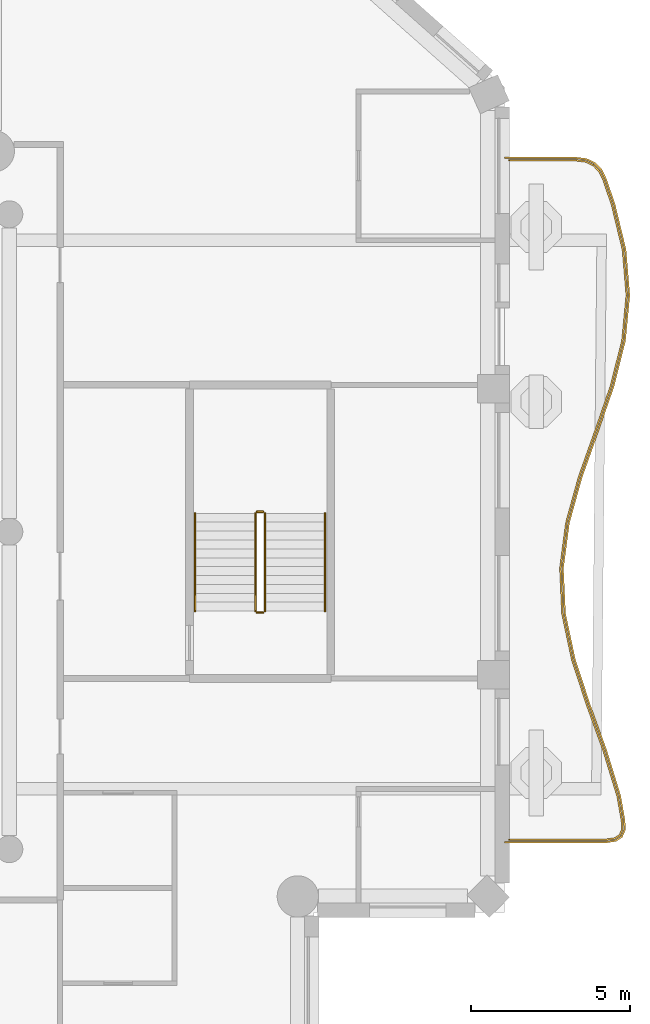
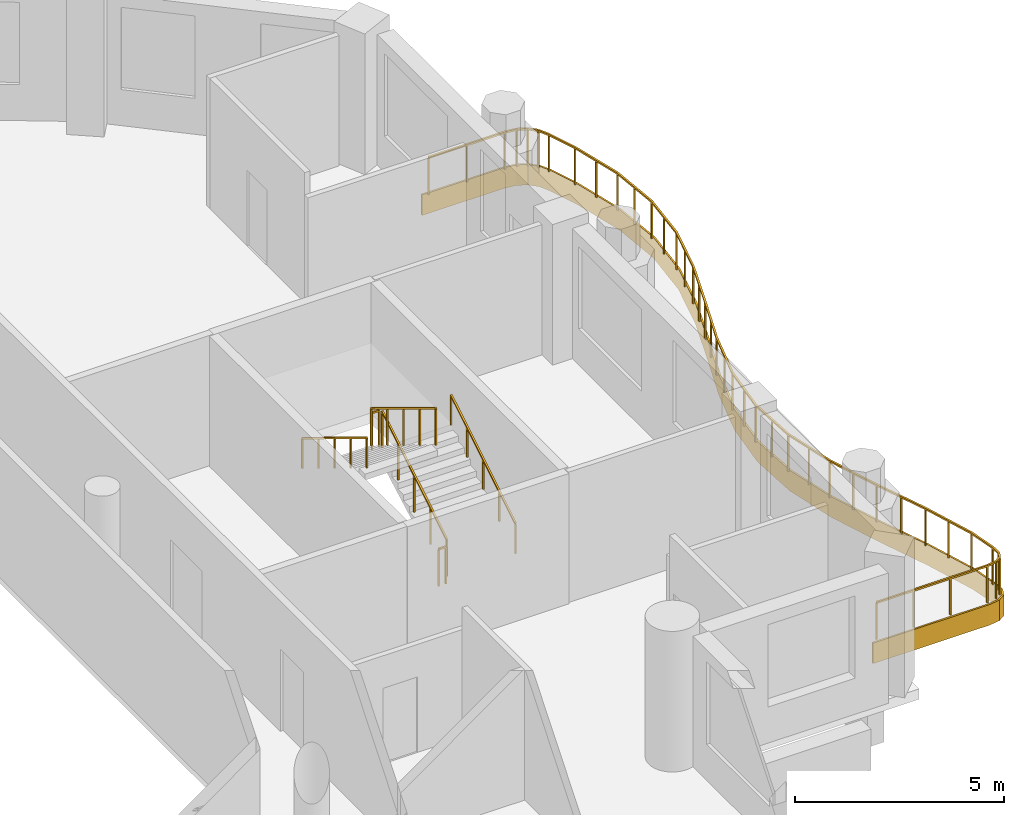
# One storey, part 12 of 14: 7 railings, 1 covering.
"""IFC4 building model written with IfcOpenShell, lengths in metres."""

from ifc_helpers import new_model, si_unit, direction, frame, origin, origin_2d, place, context, subcontext, project, spatial, polyline, rectangle, outline, extrude, material, layer, layer_set, type_object, element, save


model = new_model("IFC4")

# Units and contexts
model_context = context("Model", 3, precision=1e-05, world=origin(), true_north=direction((0.0, 1.0)))
body_context = subcontext(model_context, "Body", "Model", "MODEL_VIEW")
ifc_project = project(units=[si_unit("LENGTHUNIT", "METRE"), si_unit("AREAUNIT", "SQUARE_METRE"), si_unit("VOLUMEUNIT", "CUBIC_METRE"), si_unit("PLANEANGLEUNIT", "RADIAN"), si_unit("MASSUNIT", "GRAM", prefix="KILO")], contexts=[model_context])

# Site, building, storey
site_placement = place(None, origin())
site = spatial("IfcSite", under=ifc_project, at=site_placement, CompositionType="ELEMENT")
building_placement = place(site_placement, origin())
building = spatial("IfcBuilding", under=site, at=building_placement, Name="Cypress Arch Tower", CompositionType="ELEMENT")
storey_placement = place(building_placement, frame((0.0, 0.0, 296.699951171875)))
storey = spatial("IfcBuildingStorey", under=building, at=storey_placement, Name="L67", CompositionType="ELEMENT", Elevation=296.699951171875)

# Covering
ifc_material_1 = material(Name="White powder-coated aluminium fascia", Category="aluminium")
ifc_layer = layer(ifc_material_1, 0.050048828125)
ifc_layer_set = layer_set([ifc_layer], Name="Balcony fascia BF50")
covering_type = type_object("IfcCoveringType", Name="Balcony fascia BF50", PredefinedType="CLADDING", material=ifc_layer_set)
covering_placement = place(storey_placement, frame((0.0, 0.0, -0.599853515625)))
element("IfcCovering", 1, at=covering_placement, inside=storey, type_object=covering_type, Name="Balcony fascia L67-C17", PredefinedType="CLADDING", context=body_context, shape_type="SweptSolid", body=[
    extrude(outline(polyline([(26.863037109375, 11.800048828125), (27.18603515625, 11.75830078125), (27.455810546875, 11.630126953125), (27.664306640625, 11.41650390625), (27.80859375, 11.124267578125), (28.080078125, 10.33056640625), (28.429443359375, 8.891357421875), (28.550048828125, 7.44970703125), (28.411865234375, 6.008056640625), (28.049072265625, 4.569091796875), (27.55224609375, 3.133544921875), (27.04296875, 1.70166015625), (26.64599609375, 0.2734375), (26.4580078125, -1.152099609375), (26.52392578125, -2.576904296875), (26.828125, -4.003662109375), (27.296875, -5.43359375), (27.816162109375, -6.867431640625), (28.25830078125, -8.304931640625), (28.3994140625, -9.099853515625), (28.4091796875, -9.396728515625), (28.311767578125, -9.622314453125), (28.106689453125, -9.757568359375), (27.812744140625, -9.800048828125), (24.60107421875, -9.800048828125), (24.60107421875, -9.75), (27.80908203125, -9.75), (28.088623046875, -9.709716796875), (28.271728515625, -9.5888671875), (28.35888671875, -9.38720703125), (28.349609375, -9.10498046875), (28.20947265625, -8.316650390625), (27.7685546875, -6.88330078125), (27.249755859375, -5.449951171875), (26.77978515625, -4.0166015625), (26.47412109375, -2.583251953125), (26.40771484375, -1.14990234375), (26.596923828125, 0.283447265625), (26.9951171875, 1.716552734375), (27.5048828125, 3.14990234375), (28.001220703125, 4.583251953125), (28.3623046875, 6.0166015625), (28.499755859375, 7.449951171875), (28.3798828125, 8.88330078125), (28.031982421875, 10.316650390625), (27.76220703125, 11.10498046875), (27.623046875, 11.38720703125), (27.42626953125, 11.5888671875), (27.171875, 11.709716796875), (26.85986328125, 11.75), (24.60107421875, 11.75), (24.60107421875, 11.800048828125), (26.863037109375, 11.800048828125)])), origin(), (0.0, 0.0, 1.0), 0.599853515625),
])

# Railings
ifc_material_2 = material(Name="Powder-coated steel posts and rods, 100 mm clear between rods", Category="steel")
railing_type_1 = type_object("IfcRailingType", Name="Balcony guard GR1100", PredefinedType="GUARDRAIL", material=ifc_material_2)
railing_1_placement = place(storey_placement, frame((24.75, 11.699951171875, 0.0)))
element("IfcRailing", 2, at=railing_1_placement, inside=storey, type_object=railing_type_1, Name="Balcony guard L67-C17", PredefinedType="GUARDRAIL", context=body_context, shape_type="SweptSolid", body=[
    extrude(rectangle(XDim=0.050048828125, YDim=0.050048828125, at=origin_2d()), frame((0.0, 0.0, 1.0751953125), z_axis=(1.0, 0.0, 0.0), x_axis=(0.0, 1.0, 0.0)), (0.0, 0.0, 1.0), 2.1064453125),
    extrude(rectangle(XDim=0.050048828125, YDim=0.050048828125, at=origin_2d()), frame((2.1064453125, 0.0, 1.0751953125), z_axis=(0.991787743346, -0.127894769823, 0.0), x_axis=(0.127894769823, 0.991787743346, 0.0)), (0.0, 0.0, 1.0), 0.303466796875),
    extrude(rectangle(XDim=0.050048828125, YDim=0.050048828125, at=origin_2d()), frame((2.407470703125, -0.038818359375, 1.0751953125), z_axis=(0.903098853358, -0.429432720066, 0.0), x_axis=(0.429432720066, 0.903098853358, 0.0)), (0.0, 0.0, 1.0), 0.264892578125),
    extrude(rectangle(XDim=0.050048828125, YDim=0.050048828125, at=origin_2d()), frame((2.646728515625, -0.152587890625, 1.0751953125), z_axis=(0.698761466255, -0.715354746456, 0.0), x_axis=(0.715354746456, 0.698761466255, 0.0)), (0.0, 0.0, 1.0), 0.264892578125),
    extrude(rectangle(XDim=0.050048828125, YDim=0.050048828125, at=origin_2d()), frame((2.831787109375, -0.342041015625, 1.0751953125), z_axis=(0.442381109943, -0.896827159248, 0.0), x_axis=(0.896827159248, 0.442381109943, 0.0)), (0.0, 0.0, 1.0), 0.303466796875),
    extrude(rectangle(XDim=0.050048828125, YDim=0.050048828125, at=origin_2d()), frame((2.966064453125, -0.6142578125, 1.0751953125), z_axis=(0.323917017362, -0.946085496064, 0.0), x_axis=(0.946085496064, 0.323917017362, 0.0)), (0.0, 0.0, 1.0), 0.82763671875),
    extrude(rectangle(XDim=0.050048828125, YDim=0.050048828125, at=origin_2d()), frame((3.234130859375, -1.397216796875, 1.0751953125), z_axis=(0.235685652362, -0.971829343697, 0.0), x_axis=(0.971829343697, 0.235685652362, 0.0)), (0.0, 0.0, 1.0), 1.46875),
    extrude(rectangle(XDim=0.050048828125, YDim=0.050048828125, at=origin_2d()), frame((3.580322265625, -2.82470703125, 1.0751953125), z_axis=(0.083483464198, -0.99650916263, 0.0), x_axis=(0.99650916263, 0.083483464198, 0.0)), (0.0, 0.0, 1.0), 1.429931640625),
    extrude(rectangle(XDim=0.050048828125, YDim=0.050048828125, at=origin_2d()), frame((3.69970703125, -4.249755859375, 1.0751953125), z_axis=(-0.095501185044, -0.995429316253, 0.0), x_axis=(0.995429316253, -0.095501185044, 0.0)), (0.0, 0.0, 1.0), 1.431640625),
    extrude(rectangle(XDim=0.050048828125, YDim=0.050048828125, at=origin_2d()), frame((3.56298828125, -5.6748046875, 1.0751953125), z_axis=(-0.244291244818, -0.969701906621, 0.0), x_axis=(0.969701906621, -0.244291244818, 0.0)), (0.0, 0.0, 1.0), 1.47216796875),
    extrude(rectangle(XDim=0.050048828125, YDim=0.050048828125, at=origin_2d()), frame((3.203369140625, -7.102294921875, 1.0751953125), z_axis=(-0.327232364833, -0.944943902783, 0.0), x_axis=(0.944943902783, -0.327232364833, 0.0)), (0.0, 0.0, 1.0), 1.5146484375),
    extrude(rectangle(XDim=0.050048828125, YDim=0.050048828125, at=origin_2d()), frame((2.707763671875, -8.533447265625, 1.0751953125), z_axis=(-0.335066597489, -0.942194446623, 0.0), x_axis=(0.942194446623, -0.335066597489, 0.0)), (0.0, 0.0, 1.0), 1.52294921875),
    extrude(rectangle(XDim=0.050048828125, YDim=0.050048828125, at=origin_2d()), frame((2.197509765625, -9.96826171875, 1.0751953125), z_axis=(-0.267736652062, -0.963492130296, 0.0), x_axis=(0.963492130296, -0.267736652062, 0.0)), (0.0, 0.0, 1.0), 1.49267578125),
    extrude(rectangle(XDim=0.050048828125, YDim=0.050048828125, at=origin_2d()), frame((1.7978515625, -11.406494140625, 1.0751953125), z_axis=(-0.130810693925, -0.991407364485, 0.0), x_axis=(0.991407364485, -0.130810693925, 0.0)), (0.0, 0.0, 1.0), 1.453857421875),
    extrude(rectangle(XDim=0.050048828125, YDim=0.050048828125, at=origin_2d()), frame((1.607666015625, -12.847900390625, 1.0751953125), z_axis=(0.04617487478, -0.998933371621, 0.0), x_axis=(0.998933371621, 0.04617487478, 0.0)), (0.0, 0.0, 1.0), 1.443359375),
    extrude(rectangle(XDim=0.050048828125, YDim=0.050048828125, at=origin_2d()), frame((1.67431640625, -14.289794921875, 1.0751953125), z_axis=(0.208600407378, -0.978000956054, 0.0), x_axis=(0.978000956054, 0.208600407378, 0.0)), (0.0, 0.0, 1.0), 1.472412109375),
    extrude(rectangle(XDim=0.050048828125, YDim=0.050048828125, at=origin_2d()), frame((1.9814453125, -15.729736328125, 1.0751953125), z_axis=(0.311524373657, -0.950238162051, 0.0), x_axis=(0.950238162051, 0.311524373657, 0.0)), (0.0, 0.0, 1.0), 1.51171875),
    extrude(rectangle(XDim=0.050048828125, YDim=0.050048828125, at=origin_2d()), frame((2.452392578125, -17.166259765625, 1.0751953125), z_axis=(0.340443525681, -0.940264965753, 0.0), x_axis=(0.940264965753, 0.340443525681, 0.0)), (0.0, 0.0, 1.0), 1.52392578125),
    extrude(rectangle(XDim=0.050048828125, YDim=0.050048828125, at=origin_2d()), frame((2.97119140625, -18.59912109375, 1.0751953125), z_axis=(0.294051429313, -0.955789598666, 0.0), x_axis=(0.955789598666, 0.294051429313, 0.0)), (0.0, 0.0, 1.0), 1.495361328125),
    extrude(rectangle(XDim=0.050048828125, YDim=0.050048828125, at=origin_2d()), frame((3.410888671875, -20.0283203125, 1.0751953125), z_axis=(0.174960473354, -0.984575458136, 0.0), x_axis=(0.984575458136, 0.174960473354, 0.0)), (0.0, 0.0, 1.0), 0.7939453125),
    extrude(rectangle(XDim=0.050048828125, YDim=0.050048828125, at=origin_2d()), frame((3.5498046875, -20.81005859375, 1.0751953125), z_axis=(0.032829010383, -0.999460982769, 0.0), x_axis=(0.999460982769, 0.032829010383, 0.0)), (0.0, 0.0, 1.0), 0.267822265625),
    extrude(rectangle(XDim=0.050048828125, YDim=0.050048828125, at=origin_2d()), frame((3.55859375, -21.07763671875, 1.0751953125), z_axis=(-0.397572017318, -0.917570973302, 0.0), x_axis=(0.917570973302, -0.397572017318, 0.0)), (0.0, 0.0, 1.0), 0.193359375),
    extrude(rectangle(XDim=0.050048828125, YDim=0.050048828125, at=origin_2d()), frame((3.481689453125, -21.255126953125, 1.0751953125), z_axis=(-0.834179813968, -0.551492554772, 0.0), x_axis=(0.551492554772, -0.834179813968, 0.0)), (0.0, 0.0, 1.0), 0.193359375),
    extrude(rectangle(XDim=0.050048828125, YDim=0.050048828125, at=origin_2d()), frame((3.3203125, -21.36181640625, 1.0751953125), z_axis=(-0.98982137107, -0.142315330771, 0.0), x_axis=(0.142315330771, -0.98982137107, 0.0)), (0.0, 0.0, 1.0), 0.267578125),
    extrude(rectangle(XDim=0.050048828125, YDim=0.050048828125, at=origin_2d()), frame((3.055419921875, -21.39990234375, 1.0751953125), z_axis=(-1.0, 0.0, 0.0), x_axis=(0.0, -1.0, 0.0)), (0.0, 0.0, 1.0), 3.055419921875),
    extrude(rectangle(XDim=0.0400390625, YDim=0.0400390625, at=origin_2d()), origin(), (0.0, 0.0, 1.0), 1.050048828125),
    extrude(rectangle(XDim=0.0400390625, YDim=0.0400390625, at=origin_2d()), frame((1.05322265625, 0.0, 0.0)), (0.0, 0.0, 1.0), 1.050048828125),
    extrude(rectangle(XDim=0.0400390625, YDim=0.0400390625, at=origin_2d()), frame((2.1064453125, 0.0, 0.0)), (0.0, 0.0, 1.0), 1.050048828125),
    extrude(rectangle(XDim=0.0400390625, YDim=0.0400390625, at=origin_2d()), frame((2.407470703125, -0.038818359375, 0.0)), (0.0, 0.0, 1.0), 1.050048828125),
    extrude(rectangle(XDim=0.0400390625, YDim=0.0400390625, at=origin_2d()), frame((2.646728515625, -0.152587890625, 0.0)), (0.0, 0.0, 1.0), 1.050048828125),
    extrude(rectangle(XDim=0.0400390625, YDim=0.0400390625, at=origin_2d()), frame((2.831787109375, -0.342041015625, 0.0)), (0.0, 0.0, 1.0), 1.050048828125),
    extrude(rectangle(XDim=0.0400390625, YDim=0.0400390625, at=origin_2d()), frame((2.966064453125, -0.6142578125, 0.0)), (0.0, 0.0, 1.0), 1.050048828125),
    extrude(rectangle(XDim=0.0400390625, YDim=0.0400390625, at=origin_2d()), frame((3.234130859375, -1.397216796875, 0.0)), (0.0, 0.0, 1.0), 1.050048828125),
    extrude(rectangle(XDim=0.0400390625, YDim=0.0400390625, at=origin_2d()), frame((3.4072265625, -2.11083984375, 0.0)), (0.0, 0.0, 1.0), 1.050048828125),
    extrude(rectangle(XDim=0.0400390625, YDim=0.0400390625, at=origin_2d()), frame((3.580322265625, -2.82470703125, 0.0)), (0.0, 0.0, 1.0), 1.050048828125),
    extrude(rectangle(XDim=0.0400390625, YDim=0.0400390625, at=origin_2d()), frame((3.64013671875, -3.537109375, 0.0)), (0.0, 0.0, 1.0), 1.050048828125),
    extrude(rectangle(XDim=0.0400390625, YDim=0.0400390625, at=origin_2d()), frame((3.69970703125, -4.249755859375, 0.0)), (0.0, 0.0, 1.0), 1.050048828125),
    extrude(rectangle(XDim=0.0400390625, YDim=0.0400390625, at=origin_2d()), frame((3.63134765625, -4.96240234375, 0.0)), (0.0, 0.0, 1.0), 1.050048828125),
    extrude(rectangle(XDim=0.0400390625, YDim=0.0400390625, at=origin_2d()), frame((3.56298828125, -5.6748046875, 0.0)), (0.0, 0.0, 1.0), 1.050048828125),
    extrude(rectangle(XDim=0.0400390625, YDim=0.0400390625, at=origin_2d()), frame((3.38330078125, -6.388671875, 0.0)), (0.0, 0.0, 1.0), 1.050048828125),
    extrude(rectangle(XDim=0.0400390625, YDim=0.0400390625, at=origin_2d()), frame((3.203369140625, -7.102294921875, 0.0)), (0.0, 0.0, 1.0), 1.050048828125),
    extrude(rectangle(XDim=0.0400390625, YDim=0.0400390625, at=origin_2d()), frame((2.95556640625, -7.81787109375, 0.0)), (0.0, 0.0, 1.0), 1.050048828125),
    extrude(rectangle(XDim=0.0400390625, YDim=0.0400390625, at=origin_2d()), frame((2.707763671875, -8.533447265625, 0.0)), (0.0, 0.0, 1.0), 1.050048828125),
    extrude(rectangle(XDim=0.0400390625, YDim=0.0400390625, at=origin_2d()), frame((2.45263671875, -9.2509765625, 0.0)), (0.0, 0.0, 1.0), 1.050048828125),
    extrude(rectangle(XDim=0.0400390625, YDim=0.0400390625, at=origin_2d()), frame((2.197509765625, -9.96826171875, 0.0)), (0.0, 0.0, 1.0), 1.050048828125),
    extrude(rectangle(XDim=0.0400390625, YDim=0.0400390625, at=origin_2d()), frame((1.99755859375, -10.6875, 0.0)), (0.0, 0.0, 1.0), 1.050048828125),
    extrude(rectangle(XDim=0.0400390625, YDim=0.0400390625, at=origin_2d()), frame((1.7978515625, -11.406494140625, 0.0)), (0.0, 0.0, 1.0), 1.050048828125),
    extrude(rectangle(XDim=0.0400390625, YDim=0.0400390625, at=origin_2d()), frame((1.70263671875, -12.127197265625, 0.0)), (0.0, 0.0, 1.0), 1.050048828125),
    extrude(rectangle(XDim=0.0400390625, YDim=0.0400390625, at=origin_2d()), frame((1.607666015625, -12.847900390625, 0.0)), (0.0, 0.0, 1.0), 1.050048828125),
    extrude(rectangle(XDim=0.0400390625, YDim=0.0400390625, at=origin_2d()), frame((1.64111328125, -13.56884765625, 0.0)), (0.0, 0.0, 1.0), 1.050048828125),
    extrude(rectangle(XDim=0.0400390625, YDim=0.0400390625, at=origin_2d()), frame((1.67431640625, -14.289794921875, 0.0)), (0.0, 0.0, 1.0), 1.050048828125),
    extrude(rectangle(XDim=0.0400390625, YDim=0.0400390625, at=origin_2d()), frame((1.827880859375, -15.009765625, 0.0)), (0.0, 0.0, 1.0), 1.050048828125),
    extrude(rectangle(XDim=0.0400390625, YDim=0.0400390625, at=origin_2d()), frame((1.9814453125, -15.729736328125, 0.0)), (0.0, 0.0, 1.0), 1.050048828125),
    extrude(rectangle(XDim=0.0400390625, YDim=0.0400390625, at=origin_2d()), frame((2.216796875, -16.447998046875, 0.0)), (0.0, 0.0, 1.0), 1.050048828125),
    extrude(rectangle(XDim=0.0400390625, YDim=0.0400390625, at=origin_2d()), frame((2.452392578125, -17.166259765625, 0.0)), (0.0, 0.0, 1.0), 1.050048828125),
    extrude(rectangle(XDim=0.0400390625, YDim=0.0400390625, at=origin_2d()), frame((2.7119140625, -17.8828125, 0.0)), (0.0, 0.0, 1.0), 1.050048828125),
    extrude(rectangle(XDim=0.0400390625, YDim=0.0400390625, at=origin_2d()), frame((2.97119140625, -18.59912109375, 0.0)), (0.0, 0.0, 1.0), 1.050048828125),
    extrude(rectangle(XDim=0.0400390625, YDim=0.0400390625, at=origin_2d()), frame((3.19091796875, -19.313720703125, 0.0)), (0.0, 0.0, 1.0), 1.050048828125),
    extrude(rectangle(XDim=0.0400390625, YDim=0.0400390625, at=origin_2d()), frame((3.410888671875, -20.0283203125, 0.0)), (0.0, 0.0, 1.0), 1.050048828125),
    extrude(rectangle(XDim=0.0400390625, YDim=0.0400390625, at=origin_2d()), frame((3.5498046875, -20.81005859375, 0.0)), (0.0, 0.0, 1.0), 1.050048828125),
    extrude(rectangle(XDim=0.0400390625, YDim=0.0400390625, at=origin_2d()), frame((3.55859375, -21.07763671875, 0.0)), (0.0, 0.0, 1.0), 1.050048828125),
    extrude(rectangle(XDim=0.0400390625, YDim=0.0400390625, at=origin_2d()), frame((3.481689453125, -21.255126953125, 0.0)), (0.0, 0.0, 1.0), 1.050048828125),
    extrude(rectangle(XDim=0.0400390625, YDim=0.0400390625, at=origin_2d()), frame((3.3203125, -21.36181640625, 0.0)), (0.0, 0.0, 1.0), 1.050048828125),
    extrude(rectangle(XDim=0.0400390625, YDim=0.0400390625, at=origin_2d()), frame((3.055419921875, -21.39990234375, 0.0)), (0.0, 0.0, 1.0), 1.050048828125),
    extrude(rectangle(XDim=0.0400390625, YDim=0.0400390625, at=origin_2d()), frame((2.036865234375, -21.39990234375, 0.0)), (0.0, 0.0, 1.0), 1.050048828125),
    extrude(rectangle(XDim=0.0400390625, YDim=0.0400390625, at=origin_2d()), frame((1.0185546875, -21.39990234375, 0.0)), (0.0, 0.0, 1.0), 1.050048828125),
    extrude(rectangle(XDim=0.0400390625, YDim=0.0400390625, at=origin_2d()), frame((0.0, -21.39990234375, 0.0)), (0.0, 0.0, 1.0), 1.050048828125),
])
ifc_material_3 = material(Name="Black powder-coated steel square bar 48 mm", Category="steel")
railing_type_2 = type_object("IfcRailingType", Name="Stair handrail HR1", PredefinedType="HANDRAIL", material=ifc_material_3)
railing_2_placement = place(storey_placement, frame((18.949951171875, -2.5, 0.1708984375)))
element("IfcRailing", 3, at=railing_2_placement, inside=storey, type_object=railing_type_2, Name="L67 C stair handrail 1", PredefinedType="HANDRAIL", context=body_context, shape_type="SweptSolid", body=[
    extrude(rectangle(XDim=0.048095703125, YDim=0.048095703125, at=origin_2d()), frame((0.0, 0.0, 0.8759765625), z_axis=(0.0, 0.853666305674, 0.52082035152), x_axis=(-1.0, 0.0, 0.0)), (0.0, 0.0, 1.0), 3.608154296875),
    extrude(rectangle(XDim=0.0419921875, YDim=0.0419921875, at=origin_2d()), origin(), (0.0, 0.0, 1.0), 0.851806640625),
    extrude(rectangle(XDim=0.0419921875, YDim=0.0419921875, at=origin_2d()), frame((0.0, 0.77001953125, 0.4697265625)), (0.0, 0.0, 1.0), 0.851806640625),
    extrude(rectangle(XDim=0.0419921875, YDim=0.0419921875, at=origin_2d()), frame((0.0, 1.5400390625, 0.939453125)), (0.0, 0.0, 1.0), 0.851806640625),
    extrude(rectangle(XDim=0.0419921875, YDim=0.0419921875, at=origin_2d()), frame((0.0, 2.31005859375, 1.409423828125)), (0.0, 0.0, 1.0), 0.851806640625),
    extrude(rectangle(XDim=0.0419921875, YDim=0.0419921875, at=origin_2d()), frame((0.0, 3.080078125, 1.879150390625)), (0.0, 0.0, 1.0), 0.851806640625),
])
railing_3_placement = place(storey_placement, frame((14.85009765625, 0.580078125, 2.220947265625)))
element("IfcRailing", 4, at=railing_3_placement, inside=storey, type_object=railing_type_2, Name="L67 C stair handrail 2", PredefinedType="HANDRAIL", context=body_context, shape_type="SweptSolid", body=[
    extrude(rectangle(XDim=0.048095703125, YDim=0.048095703125, at=origin_2d()), frame((0.0, 0.0, 0.8759765625), z_axis=(0.0, -0.853666305674, 0.52082035152), x_axis=(1.0, 0.0, 0.0)), (0.0, 0.0, 1.0), 3.608154296875),
    extrude(rectangle(XDim=0.0419921875, YDim=0.0419921875, at=origin_2d()), origin(), (0.0, 0.0, 1.0), 0.851806640625),
    extrude(rectangle(XDim=0.0419921875, YDim=0.0419921875, at=origin_2d()), frame((0.0, -0.77001953125, 0.4697265625)), (0.0, 0.0, 1.0), 0.851806640625),
    extrude(rectangle(XDim=0.0419921875, YDim=0.0419921875, at=origin_2d()), frame((0.0, -1.5400390625, 0.939453125)), (0.0, 0.0, 1.0), 0.851806640625),
    extrude(rectangle(XDim=0.0419921875, YDim=0.0419921875, at=origin_2d()), frame((0.0, -2.31005859375, 1.409423828125)), (0.0, 0.0, 1.0), 0.851806640625),
    extrude(rectangle(XDim=0.0419921875, YDim=0.0419921875, at=origin_2d()), frame((0.0, -3.080078125, 1.879150390625)), (0.0, 0.0, 1.0), 0.851806640625),
])
ifc_material_4 = material(Name="Black powder-coated steel balusters", Category="steel")
railing_type_3 = type_object("IfcRailingType", Name="Stair well guard G1", PredefinedType="GUARDRAIL", material=ifc_material_4)
railing_4_placement = place(storey_placement, frame((17.050048828125, -2.5, 0.1708984375)))
element("IfcRailing", 5, at=railing_4_placement, inside=storey, type_object=railing_type_3, Name="L67 C stair guard 1", PredefinedType="GUARDRAIL", context=body_context, shape_type="SweptSolid", body=[
    extrude(rectangle(XDim=0.048095703125, YDim=0.048095703125, at=origin_2d()), frame((0.0, 0.0, 1.076171875), z_axis=(0.0, 0.853666305674, 0.52082035152), x_axis=(-1.0, 0.0, 0.0)), (0.0, 0.0, 1.0), 3.608154296875),
    extrude(rectangle(XDim=0.0419921875, YDim=0.0419921875, at=origin_2d()), origin(), (0.0, 0.0, 1.0), 1.052001953125),
    extrude(rectangle(XDim=0.0419921875, YDim=0.0419921875, at=origin_2d()), frame((0.0, 0.77001953125, 0.4697265625)), (0.0, 0.0, 1.0), 1.052001953125),
    extrude(rectangle(XDim=0.0419921875, YDim=0.0419921875, at=origin_2d()), frame((0.0, 1.5400390625, 0.939453125)), (0.0, 0.0, 1.0), 1.052001953125),
    extrude(rectangle(XDim=0.0419921875, YDim=0.0419921875, at=origin_2d()), frame((0.0, 2.31005859375, 1.409423828125)), (0.0, 0.0, 1.0), 1.052001953125),
    extrude(rectangle(XDim=0.0419921875, YDim=0.0419921875, at=origin_2d()), frame((0.0, 3.080078125, 1.879150390625)), (0.0, 0.0, 1.0), 1.052001953125),
])
railing_5_placement = place(storey_placement, frame((17.0, 0.6298828125, 2.050048828125)))
element("IfcRailing", 6, at=railing_5_placement, inside=storey, type_object=railing_type_3, Name="L67 C stair guard 2", PredefinedType="GUARDRAIL", context=body_context, shape_type="SweptSolid", body=[
    extrude(rectangle(XDim=0.048095703125, YDim=0.048095703125, at=origin_2d()), frame((0.0, 0.0, 1.076171875), z_axis=(-1.0, 0.0, 0.0), x_axis=(0.0, -1.0, 0.0)), (0.0, 0.0, 1.0), 0.199951171875),
    extrude(rectangle(XDim=0.0419921875, YDim=0.0419921875, at=origin_2d()), origin(), (0.0, 0.0, 1.0), 1.052001953125),
    extrude(rectangle(XDim=0.0419921875, YDim=0.0419921875, at=origin_2d()), frame((-0.199951171875, 0.0, 0.0)), (0.0, 0.0, 1.0), 1.052001953125),
])
railing_6_placement = place(storey_placement, frame((16.75, 0.580078125, 2.220947265625)))
element("IfcRailing", 7, at=railing_6_placement, inside=storey, type_object=railing_type_3, Name="L67 C stair guard 3", PredefinedType="GUARDRAIL", context=body_context, shape_type="SweptSolid", body=[
    extrude(rectangle(XDim=0.048095703125, YDim=0.048095703125, at=origin_2d()), frame((0.0, 0.0, 1.076171875), z_axis=(0.0, -0.853666305674, 0.52082035152), x_axis=(1.0, 0.0, 0.0)), (0.0, 0.0, 1.0), 3.608154296875),
    extrude(rectangle(XDim=0.0419921875, YDim=0.0419921875, at=origin_2d()), origin(), (0.0, 0.0, 1.0), 1.052001953125),
    extrude(rectangle(XDim=0.0419921875, YDim=0.0419921875, at=origin_2d()), frame((0.0, -0.77001953125, 0.4697265625)), (0.0, 0.0, 1.0), 1.052001953125),
    extrude(rectangle(XDim=0.0419921875, YDim=0.0419921875, at=origin_2d()), frame((0.0, -1.5400390625, 0.939453125)), (0.0, 0.0, 1.0), 1.052001953125),
    extrude(rectangle(XDim=0.0419921875, YDim=0.0419921875, at=origin_2d()), frame((0.0, -2.31005859375, 1.409423828125)), (0.0, 0.0, 1.0), 1.052001953125),
    extrude(rectangle(XDim=0.0419921875, YDim=0.0419921875, at=origin_2d()), frame((0.0, -3.080078125, 1.879150390625)), (0.0, 0.0, 1.0), 1.052001953125),
])
railing_7_placement = place(storey_placement, frame((17.0, -2.550048828125, 0.0)))
element("IfcRailing", 8, at=railing_7_placement, inside=storey, type_object=railing_type_3, Name="L67 C stair guard 4", PredefinedType="GUARDRAIL", context=body_context, shape_type="SweptSolid", body=[
    extrude(rectangle(XDim=0.048095703125, YDim=0.048095703125, at=origin_2d()), frame((0.0, 0.0, 1.076171875), z_axis=(-1.0, 0.0, 0.0), x_axis=(0.0, -1.0, 0.0)), (0.0, 0.0, 1.0), 0.199951171875),
    extrude(rectangle(XDim=0.0419921875, YDim=0.0419921875, at=origin_2d()), origin(), (0.0, 0.0, 1.0), 1.052001953125),
    extrude(rectangle(XDim=0.0419921875, YDim=0.0419921875, at=origin_2d()), frame((-0.199951171875, 0.0, 0.0)), (0.0, 0.0, 1.0), 1.052001953125),
])

save(model, "model.ifc")
